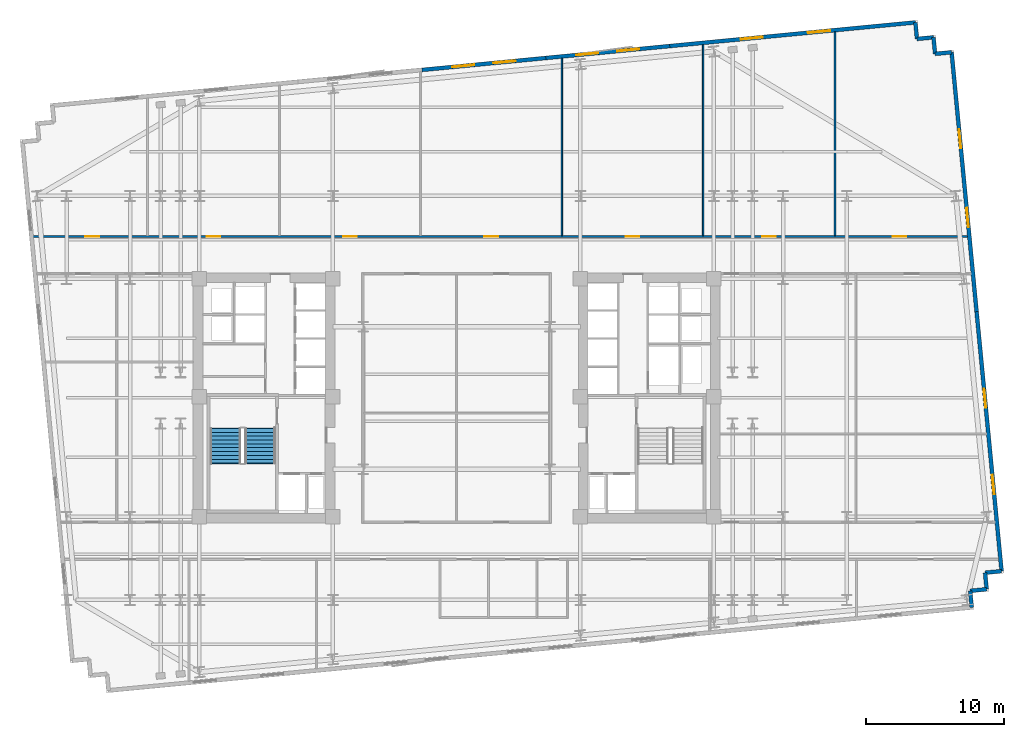
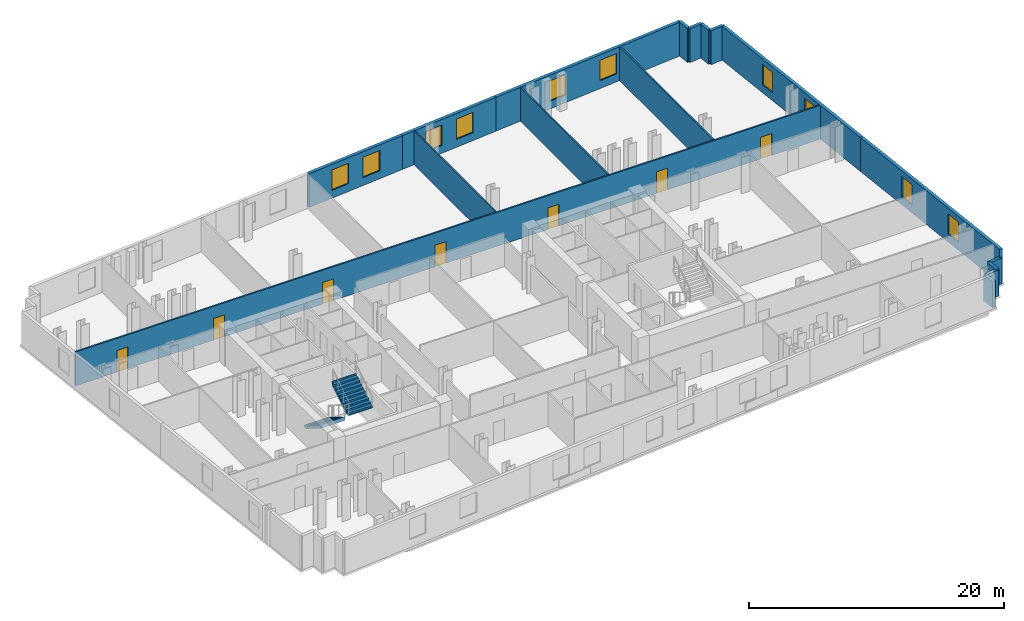
# One storey, part 8 of 11: 17 walls, 10 windows, 7 doors, 2 stair flights, 17 openings, 1 element without a shape of its own.
"""IFC4 building model written with IfcOpenShell, lengths in metres."""

from ifc_helpers import new_model, si_unit, direction, frame, frame_2d, origin, place, context, subcontext, project, spatial, polyline, rectangle, outline, extrude, material, layer, layer_set, type_object, element, fill, aggregate, save


model = new_model("IFC4")

# Units and contexts
model_context = context("Model", 3, precision=1e-05, world=origin(), true_north=direction((0.0, 1.0)))
body_context = subcontext(model_context, "Body", "Model", "MODEL_VIEW")
ifc_project = project(units=[si_unit("LENGTHUNIT", "METRE"), si_unit("AREAUNIT", "SQUARE_METRE"), si_unit("VOLUMEUNIT", "CUBIC_METRE"), si_unit("PLANEANGLEUNIT", "RADIAN"), si_unit("MASSUNIT", "GRAM", prefix="KILO")], contexts=[model_context])

# Site, building, storey
site_placement = place(None, origin())
site = spatial("IfcSite", under=ifc_project, at=site_placement, CompositionType="ELEMENT")
building_placement = place(site_placement, origin())
building = spatial("IfcBuilding", under=site, at=building_placement, Name="Velakula Bourse", CompositionType="ELEMENT")
storey_placement = place(building_placement, frame((0.0, 0.0, 101.800048828125)))
storey = spatial("IfcBuildingStorey", under=building, at=storey_placement, Name="L27", CompositionType="ELEMENT", Elevation=101.800048828125)

# Wall, openings, windows
ifc_material_1 = material(Name="Red kilned clay facing brick masonry", Category="masonry")
ifc_layer_1 = layer(ifc_material_1, 0.280029296875, Name="Red kilned clay facing brick masonry", Category="masonry")
ifc_layer_set_1 = layer_set([ifc_layer_1], Name="Red kilned clay facing brick masonry")
wall_type_1 = type_object("IfcWallType", Name="WL-EXT-BRK-280", PredefinedType="STANDARD", material=ifc_layer_set_1)
wall_1_placement = place(storey_placement, frame((-2.51513671875, 23.7109375, 0.0), z_axis=(0.0, 0.0, 1.0), x_axis=(0.995397043619, 0.095836973841, 0.0)))
wall_1 = element("IfcWall", 1, at=wall_1_placement, inside=storey, type_object=wall_type_1, Name="L27 N Brick Spandrel Wall B3", PredefinedType="STANDARD", context=body_context, shape_type="SweptSolid", body=[
    extrude(rectangle(XDim=9.000244140625, YDim=0.280029296875, at=frame_2d((4.5, 0.0))), origin(), (0.0, 0.0, 1.0), 3.25),
])
opening_1_placement = place(wall_1_placement, frame((2.199951171875, 0.0, 0.760009765625)))
opening_1 = element("IfcOpeningElement", 2, at=opening_1_placement, cuts=wall_1, Name="Opening W-02", PredefinedType="OPENING", context=body_context, shape_type="SweptSolid", body=[
    extrude(rectangle(XDim=1.60009765625, YDim=1.949951171875, at=frame_2d((0.800048828125, 0.97509765625))), frame((0.0, 0.14990234375, 0.0), z_axis=(0.0, -1.0, 0.0), x_axis=(1.0, 0.0, 0.0)), (0.0, 0.0, 1.0), 0.300048828125),
])
opening_2_placement = place(wall_1_placement, frame((5.199951171875, 0.0, 0.760009765625)))
opening_2 = element("IfcOpeningElement", 3, at=opening_2_placement, cuts=wall_1, Name="Opening W-02", PredefinedType="OPENING", context=body_context, shape_type="SweptSolid", body=[
    extrude(rectangle(XDim=1.60009765625, YDim=1.949951171875, at=frame_2d((0.800048828125, 0.97509765625))), frame((0.0, 0.14990234375, 0.0), z_axis=(0.0, -1.0, 0.0), x_axis=(1.0, 0.0, 0.0)), (0.0, 0.0, 1.0), 0.300048828125),
])
ifc_material_2 = material(Name="Double-glazed solar-control Low-E glass", Category="glass")
window_type_1 = type_object("IfcWindowType", Name="WIN-TWR-1600x2100", PartitioningType="SINGLE_PANEL", PredefinedType="WINDOW", material=ifc_material_2)
window_1_placement = place(opening_1_placement, origin())
window_1 = element("IfcWindow", 4, at=window_1_placement, inside=storey, type_object=window_type_1, Name="L27 Deep-Set Recessed Window 1", OverallHeight=1.949951171875, OverallWidth=1.60009765625, PartitioningType="SINGLE_PANEL", PredefinedType="WINDOW", context=body_context, shape_type="SweptSolid", body=[
    extrude(rectangle(XDim=1.60009765625, YDim=1.949951171875, at=frame_2d((0.800048828125, 0.97509765625))), frame((0.0, 0.030029296875, 0.0), z_axis=(0.0, -1.0, 0.0), x_axis=(1.0, 0.0, 0.0)), (0.0, 0.0, 1.0), 0.06005859375),
])
fill(opening_1, window_1)
window_2_placement = place(opening_2_placement, origin())
window_2 = element("IfcWindow", 5, at=window_2_placement, inside=storey, type_object=window_type_1, Name="L27 Deep-Set Recessed Window 2", OverallHeight=1.949951171875, OverallWidth=1.60009765625, PartitioningType="SINGLE_PANEL", PredefinedType="WINDOW", context=body_context, shape_type="SweptSolid", body=[
    extrude(rectangle(XDim=1.60009765625, YDim=1.949951171875, at=frame_2d((0.800048828125, 0.97509765625))), frame((0.0, 0.030029296875, 0.0), z_axis=(0.0, -1.0, 0.0), x_axis=(1.0, 0.0, 0.0)), (0.0, 0.0, 1.0), 0.06005859375),
])
fill(opening_2, window_2)

wall_2_placement = place(storey_placement, frame((6.443603515625, 24.573486328125, 0.0), z_axis=(0.0, 0.0, 1.0), x_axis=(0.995396794462, 0.09583956164, 0.0)))
wall_2 = element("IfcWall", 6, at=wall_2_placement, inside=storey, type_object=wall_type_1, Name="L27 N Brick Spandrel Wall B4", PredefinedType="STANDARD", context=body_context, shape_type="SweptSolid", body=[
    extrude(rectangle(XDim=9.0, YDim=0.280029296875, at=frame_2d((4.5, 0.0))), origin(), (0.0, 0.0, 1.0), 3.25),
])
opening_3_placement = place(wall_2_placement, frame((2.199951171875, 0.0, 0.760009765625)))
opening_3 = element("IfcOpeningElement", 7, at=opening_3_placement, cuts=wall_2, Name="Opening W-02", PredefinedType="OPENING", context=body_context, shape_type="SweptSolid", body=[
    extrude(rectangle(XDim=1.60009765625, YDim=1.949951171875, at=frame_2d((0.800048828125, 0.97509765625))), frame((0.0, 0.14990234375, 0.0), z_axis=(0.0, -1.0, 0.0), x_axis=(1.0, 0.0, 0.0)), (0.0, 0.0, 1.0), 0.300048828125),
])
opening_4_placement = place(wall_2_placement, frame((5.199951171875, 0.0, 0.760009765625)))
opening_4 = element("IfcOpeningElement", 8, at=opening_4_placement, cuts=wall_2, Name="Opening W-02", PredefinedType="OPENING", context=body_context, shape_type="SweptSolid", body=[
    extrude(rectangle(XDim=1.60009765625, YDim=1.949951171875, at=frame_2d((0.800048828125, 0.97509765625))), frame((0.0, 0.14990234375, 0.0), z_axis=(0.0, -1.0, 0.0), x_axis=(1.0, 0.0, 0.0)), (0.0, 0.0, 1.0), 0.300048828125),
])
window_3_placement = place(opening_3_placement, origin())
window_3 = element("IfcWindow", 9, at=window_3_placement, inside=storey, type_object=window_type_1, Name="L27 Deep-Set Recessed Window 1", OverallHeight=1.949951171875, OverallWidth=1.60009765625, PartitioningType="SINGLE_PANEL", PredefinedType="WINDOW", context=body_context, shape_type="SweptSolid", body=[
    extrude(rectangle(XDim=1.60009765625, YDim=1.949951171875, at=frame_2d((0.800048828125, 0.97509765625))), frame((0.0, 0.030029296875, 0.0), z_axis=(0.0, -1.0, 0.0), x_axis=(1.0, 0.0, 0.0)), (0.0, 0.0, 1.0), 0.06005859375),
])
fill(opening_3, window_3)
window_4_placement = place(opening_4_placement, origin())
window_4 = element("IfcWindow", 10, at=window_4_placement, inside=storey, type_object=window_type_1, Name="L27 Deep-Set Recessed Window 2", OverallHeight=1.949951171875, OverallWidth=1.60009765625, PartitioningType="SINGLE_PANEL", PredefinedType="WINDOW", context=body_context, shape_type="SweptSolid", body=[
    extrude(rectangle(XDim=1.60009765625, YDim=1.949951171875, at=frame_2d((0.800048828125, 0.97509765625))), frame((0.0, 0.030029296875, 0.0), z_axis=(0.0, -1.0, 0.0), x_axis=(1.0, 0.0, 0.0)), (0.0, 0.0, 1.0), 0.06005859375),
])
fill(opening_4, window_4)

wall_3_placement = place(storey_placement, frame((15.402099609375, 25.43603515625, 0.0), z_axis=(0.0, 0.0, 1.0), x_axis=(0.995395780835, 0.095850088663, 0.0)))
wall_3 = element("IfcWall", 11, at=wall_3_placement, inside=storey, type_object=wall_type_1, Name="L27 N Brick Spandrel Wall B5", PredefinedType="STANDARD", context=body_context, shape_type="SweptSolid", body=[
    extrude(rectangle(XDim=17.83984375, YDim=0.280029296875, at=frame_2d((8.919921875, 0.0))), origin(), (0.0, 0.0, 1.0), 3.25),
])
opening_5_placement = place(wall_3_placement, frame((5.146728515625, 0.0, 0.760009765625)))
opening_5 = element("IfcOpeningElement", 12, at=opening_5_placement, cuts=wall_3, Name="Opening W-02", PredefinedType="OPENING", context=body_context, shape_type="SweptSolid", body=[
    extrude(rectangle(XDim=1.60009765625, YDim=1.949951171875, at=frame_2d((0.800048828125, 0.97509765625))), frame((0.0, 0.14990234375, 0.0), z_axis=(0.0, -1.0, 0.0), x_axis=(1.0, 0.0, 0.0)), (0.0, 0.0, 1.0), 0.300048828125),
])
opening_6_placement = place(wall_3_placement, frame((10.043212890625, 0.0, 0.760009765625)))
opening_6 = element("IfcOpeningElement", 13, at=opening_6_placement, cuts=wall_3, Name="Opening W-02", PredefinedType="OPENING", context=body_context, shape_type="SweptSolid", body=[
    extrude(rectangle(XDim=1.60009765625, YDim=1.949951171875, at=frame_2d((0.800048828125, 0.97509765625))), frame((0.0, 0.14990234375, 0.0), z_axis=(0.0, -1.0, 0.0), x_axis=(1.0, 0.0, 0.0)), (0.0, 0.0, 1.0), 0.300048828125),
])
window_5_placement = place(opening_5_placement, origin())
window_5 = element("IfcWindow", 14, at=window_5_placement, inside=storey, type_object=window_type_1, Name="L27 Deep-Set Recessed Window 1", OverallHeight=1.949951171875, OverallWidth=1.60009765625, PartitioningType="SINGLE_PANEL", PredefinedType="WINDOW", context=body_context, shape_type="SweptSolid", body=[
    extrude(rectangle(XDim=1.60009765625, YDim=1.949951171875, at=frame_2d((0.800048828125, 0.97509765625))), frame((0.0, 0.030029296875, 0.0), z_axis=(0.0, -1.0, 0.0), x_axis=(1.0, 0.0, 0.0)), (0.0, 0.0, 1.0), 0.06005859375),
])
fill(opening_5, window_5)
window_6_placement = place(opening_6_placement, origin())
window_6 = element("IfcWindow", 15, at=window_6_placement, inside=storey, type_object=window_type_1, Name="L27 Deep-Set Recessed Window 2", OverallHeight=1.949951171875, OverallWidth=1.60009765625, PartitioningType="SINGLE_PANEL", PredefinedType="WINDOW", context=body_context, shape_type="SweptSolid", body=[
    extrude(rectangle(XDim=1.60009765625, YDim=1.949951171875, at=frame_2d((0.800048828125, 0.97509765625))), frame((0.0, 0.030029296875, 0.0), z_axis=(0.0, -1.0, 0.0), x_axis=(1.0, 0.0, 0.0)), (0.0, 0.0, 1.0), 0.06005859375),
])
fill(opening_6, window_6)

wall_4_placement = place(storey_placement, frame((37.584716796875, 6.23388671875, 0.0), z_axis=(0.0, 0.0, 1.0), x_axis=(0.095841297881, -0.99539662729, 0.0)))
wall_4 = element("IfcWall", 16, at=wall_4_placement, inside=storey, type_object=wall_type_1, Name="L27 E Brick End Wall W1", PredefinedType="STANDARD", context=body_context, shape_type="SweptSolid", body=[
    extrude(rectangle(XDim=18.840087890625, YDim=0.280029296875, at=frame_2d((9.419921875, 0.0))), origin(), (0.0, 0.0, 1.0), 3.25),
])
opening_7_placement = place(wall_4_placement, frame((5.580078125, 0.0, 0.760009765625)))
opening_7 = element("IfcOpeningElement", 17, at=opening_7_placement, cuts=wall_4, Name="Opening W-03", PredefinedType="OPENING", context=body_context, shape_type="SweptSolid", body=[
    extrude(rectangle(XDim=1.39990234375, YDim=1.949951171875, at=frame_2d((0.699951171875, 0.97509765625))), frame((0.0, 0.14990234375, 0.0), z_axis=(0.0, -1.0, 0.0), x_axis=(1.0, 0.0, 0.0)), (0.0, 0.0, 1.0), 0.300048828125),
])
opening_8_placement = place(wall_4_placement, frame((11.860107421875, 0.0, 0.760009765625)))
opening_8 = element("IfcOpeningElement", 18, at=opening_8_placement, cuts=wall_4, Name="Opening W-03", PredefinedType="OPENING", context=body_context, shape_type="SweptSolid", body=[
    extrude(rectangle(XDim=1.39990234375, YDim=1.949951171875, at=frame_2d((0.699951171875, 0.97509765625))), frame((0.0, 0.14990234375, 0.0), z_axis=(0.0, -1.0, 0.0), x_axis=(1.0, 0.0, 0.0)), (0.0, 0.0, 1.0), 0.300048828125),
])
window_type_2 = type_object("IfcWindowType", Name="WIN-TWR-1400x2100", PartitioningType="SINGLE_PANEL", PredefinedType="WINDOW", material=ifc_material_2)
window_7_placement = place(opening_7_placement, origin())
window_7 = element("IfcWindow", 19, at=window_7_placement, inside=storey, type_object=window_type_2, Name="L27 Deep-Set Recessed Window 1", OverallHeight=1.949951171875, OverallWidth=1.39990234375, PartitioningType="SINGLE_PANEL", PredefinedType="WINDOW", context=body_context, shape_type="SweptSolid", body=[
    extrude(rectangle(XDim=1.39990234375, YDim=1.949951171875, at=frame_2d((0.699951171875, 0.97509765625))), frame((0.0, 0.030029296875, 0.0), z_axis=(0.0, -1.0, 0.0), x_axis=(1.0, 0.0, 0.0)), (0.0, 0.0, 1.0), 0.06005859375),
])
fill(opening_7, window_7)
window_8_placement = place(opening_8_placement, origin())
window_8 = element("IfcWindow", 20, at=window_8_placement, inside=storey, type_object=window_type_2, Name="L27 Deep-Set Recessed Window 2", OverallHeight=1.949951171875, OverallWidth=1.39990234375, PartitioningType="SINGLE_PANEL", PredefinedType="WINDOW", context=body_context, shape_type="SweptSolid", body=[
    extrude(rectangle(XDim=1.39990234375, YDim=1.949951171875, at=frame_2d((0.699951171875, 0.97509765625))), frame((0.0, 0.030029296875, 0.0), z_axis=(0.0, -1.0, 0.0), x_axis=(1.0, 0.0, 0.0)), (0.0, 0.0, 1.0), 0.06005859375),
])
fill(opening_8, window_8)

wall_5_placement = place(storey_placement, frame((35.779052734375, 24.987060546875, 0.0), z_axis=(0.0, 0.0, 1.0), x_axis=(0.095842534142, -0.995396508256, 0.0)))
wall_5 = element("IfcWall", 21, at=wall_5_placement, inside=storey, type_object=wall_type_1, Name="L27 E Brick End Wall W2", PredefinedType="STANDARD", context=body_context, shape_type="SweptSolid", body=[
    extrude(rectangle(XDim=18.83984375, YDim=0.280029296875, at=frame_2d((9.419921875, 0.0))), origin(), (0.0, 0.0, 1.0), 3.25),
])
opening_9_placement = place(wall_5_placement, frame((5.580078125, 0.0, 0.760009765625)))
opening_9 = element("IfcOpeningElement", 22, at=opening_9_placement, cuts=wall_5, Name="Opening W-03", PredefinedType="OPENING", context=body_context, shape_type="SweptSolid", body=[
    extrude(rectangle(XDim=1.39990234375, YDim=1.949951171875, at=frame_2d((0.699951171875, 0.97509765625))), frame((0.0, 0.14990234375, 0.0), z_axis=(0.0, -1.0, 0.0), x_axis=(1.0, 0.0, 0.0)), (0.0, 0.0, 1.0), 0.300048828125),
])
opening_10_placement = place(wall_5_placement, frame((11.31005859375, 0.0, 0.760009765625)))
opening_10 = element("IfcOpeningElement", 23, at=opening_10_placement, cuts=wall_5, Name="Opening W-03", PredefinedType="OPENING", context=body_context, shape_type="SweptSolid", body=[
    extrude(rectangle(XDim=1.39990234375, YDim=1.949951171875, at=frame_2d((0.699951171875, 0.97509765625))), frame((0.0, 0.14990234375, 0.0), z_axis=(0.0, -1.0, 0.0), x_axis=(1.0, 0.0, 0.0)), (0.0, 0.0, 1.0), 0.300048828125),
])
window_9_placement = place(opening_9_placement, origin())
window_9 = element("IfcWindow", 24, at=window_9_placement, inside=storey, type_object=window_type_2, Name="L27 Deep-Set Recessed Window 1", OverallHeight=1.949951171875, OverallWidth=1.39990234375, PartitioningType="SINGLE_PANEL", PredefinedType="WINDOW", context=body_context, shape_type="SweptSolid", body=[
    extrude(rectangle(XDim=1.39990234375, YDim=1.949951171875, at=frame_2d((0.699951171875, 0.97509765625))), frame((0.0, 0.030029296875, 0.0), z_axis=(0.0, -1.0, 0.0), x_axis=(1.0, 0.0, 0.0)), (0.0, 0.0, 1.0), 0.06005859375),
])
fill(opening_9, window_9)
window_10_placement = place(opening_10_placement, origin())
window_10 = element("IfcWindow", 25, at=window_10_placement, inside=storey, type_object=window_type_2, Name="L27 Deep-Set Recessed Window 2", OverallHeight=1.949951171875, OverallWidth=1.39990234375, PartitioningType="SINGLE_PANEL", PredefinedType="WINDOW", context=body_context, shape_type="SweptSolid", body=[
    extrude(rectangle(XDim=1.39990234375, YDim=1.949951171875, at=frame_2d((0.699951171875, 0.97509765625))), frame((0.0, 0.030029296875, 0.0), z_axis=(0.0, -1.0, 0.0), x_axis=(1.0, 0.0, 0.0)), (0.0, 0.0, 1.0), 0.06005859375),
])
fill(opening_10, window_10)

# Walls
for number, where, z_axis, x_axis, name in (
    (26, (37.2314453125, -15.138427734375, 0.0), (0.0, 0.0, 1.0), (-0.095817067274, 0.995398960025, 0.0), "L27 Serrated Corner Brick Wall SE-1"),
    (27, (37.116455078125, -13.94384765625, 0.0), (0.0, 0.0, 1.0), (0.995398960025, 0.095817067274, 0.0), "L27 Serrated Corner Brick Wall SE-2"),
):
    element("IfcWall", number, at=place(storey_placement, frame(where, z_axis=z_axis, x_axis=x_axis)), inside=storey, type_object=wall_type_1, Name=name, PredefinedType="STANDARD", context=body_context, shape_type="SweptSolid", body=[
        extrude(rectangle(XDim=1.2001953125, YDim=0.280029296875, at=frame_2d((0.60009765625, 0.0))), origin(), (0.0, 0.0, 1.0), 2.494873046875),
    ])
for number, where, z_axis, x_axis, name in (
    (28, (38.31103515625, -13.828857421875, 0.0), (0.0, 0.0, 1.0), (-0.095836473879, 0.995397091755, 0.0), "L27 Serrated Corner Brick Wall SE-3"),
    (29, (38.196044921875, -12.634521484375, 0.0), (0.0, 0.0, 1.0), (0.995397091755, 0.095836473879, 0.0), "L27 Serrated Corner Brick Wall SE-4"),
):
    element("IfcWall", number, at=place(storey_placement, frame(where, z_axis=z_axis, x_axis=x_axis)), inside=storey, type_object=wall_type_1, Name=name, PredefinedType="STANDARD", context=body_context, shape_type="SweptSolid", body=[
        extrude(rectangle(XDim=1.199951171875, YDim=0.280029296875, at=frame_2d((0.60009765625, 0.0))), origin(), (0.0, 0.0, 1.0), 2.494873046875),
    ])
for number, where, z_axis, x_axis, name in (
    (30, (35.779052734375, 24.987060546875, 0.0), (0.0, 0.0, 1.0), (-0.995398960025, -0.095817067274, 0.0), "L27 Serrated Corner Brick Wall NE-1"),
    (31, (34.58447265625, 24.8720703125, 0.0), (0.0, 0.0, 1.0), (-0.095817067274, 0.995398960025, 0.0), "L27 Serrated Corner Brick Wall NE-2"),
    (32, (34.469482421875, 26.066650390625, 0.0), (0.0, 0.0, 1.0), (-0.995398960025, -0.095817067274, 0.0), "L27 Serrated Corner Brick Wall NE-3"),
):
    element("IfcWall", number, at=place(storey_placement, frame(where, z_axis=z_axis, x_axis=x_axis)), inside=storey, type_object=wall_type_1, Name=name, PredefinedType="STANDARD", context=body_context, shape_type="SweptSolid", body=[
        extrude(rectangle(XDim=1.2001953125, YDim=0.280029296875, at=frame_2d((0.60009765625, 0.0))), origin(), (0.0, 0.0, 1.0), 3.25),
    ])
wall_6_placement = place(storey_placement, frame((33.27490234375, 25.95166015625, 0.0), z_axis=(0.0, 0.0, 1.0), x_axis=(-0.095836473879, 0.995397091755, 0.0)))
element("IfcWall", 33, at=wall_6_placement, inside=storey, type_object=wall_type_1, Name="L27 Serrated Corner Brick Wall NE-4", PredefinedType="STANDARD", context=body_context, shape_type="SweptSolid", body=[
    extrude(rectangle(XDim=1.199951171875, YDim=0.280029296875, at=frame_2d((0.60009765625, 0.0))), origin(), (0.0, 0.0, 1.0), 3.25),
])
ifc_material_3 = material(Name="Fire-rated double-layer gypsum drywall partition", Category="gypsum")
ifc_layer_2 = layer(ifc_material_3, 0.1201171875, Name="Fire-rated double-layer gypsum drywall partition", Category="gypsum")
ifc_layer_set_2 = layer_set([ifc_layer_2], Name="Fire-rated double-layer gypsum drywall partition")
wall_type_2 = type_object("IfcWallType", Name="WL-PART-120", PredefinedType="STANDARD", material=ifc_layer_set_2)
wall_7_placement = place(storey_placement, frame((7.60498046875, 11.739990234375, 0.0), z_axis=(0.0, 0.0, 1.0), x_axis=(0.0, 1.0, 0.0)))
element("IfcWall", 34, at=wall_7_placement, inside=storey, type_object=wall_type_2, Name="L27 Interior Partition WL-INT-L27-N-D4", PredefinedType="STANDARD", context=body_context, shape_type="SweptSolid", body=[
    extrude(rectangle(XDim=12.82470703125, YDim=0.1201171875, at=frame_2d((6.412353515625, 0.0))), origin(), (0.0, 0.0, 1.0), 3.25),
])
wall_8_placement = place(storey_placement, frame((17.81494140625, 11.739990234375, 0.0), z_axis=(0.0, 0.0, 1.0), x_axis=(0.0, 1.0, 0.0)))
element("IfcWall", 35, at=wall_8_placement, inside=storey, type_object=wall_type_2, Name="L27 Interior Partition WL-INT-L27-N-D5", PredefinedType="STANDARD", context=body_context, shape_type="SweptSolid", body=[
    extrude(rectangle(XDim=13.807861328125, YDim=0.1201171875, at=frame_2d((6.90380859375, 0.0))), origin(), (0.0, 0.0, 1.0), 3.25),
])
wall_9_placement = place(storey_placement, frame((27.343994140625, 11.739990234375, 0.0), z_axis=(0.0, 0.0, 1.0), x_axis=(0.0, 1.0, 0.0)))
element("IfcWall", 36, at=wall_9_placement, inside=storey, type_object=wall_type_2, Name="L27 Interior Partition WL-INT-L27-N-D6", PredefinedType="STANDARD", context=body_context, shape_type="SweptSolid", body=[
    extrude(rectangle(XDim=14.7255859375, YDim=0.1201171875, at=frame_2d((7.36279296875, 0.0))), origin(), (0.0, 0.0, 1.0), 3.25),
])

# Wall, openings, doors
ifc_layer_3 = layer(ifc_material_3, 0.139892578125, Name="Fire-rated double-layer gypsum drywall partition", Category="gypsum")
ifc_layer_set_3 = layer_set([ifc_layer_3], Name="Fire-rated double-layer gypsum drywall partition")
wall_type_3 = type_object("IfcWallType", Name="WL-PART-140", PredefinedType="STANDARD", material=ifc_layer_set_3)
wall_10_placement = place(storey_placement, frame((-30.6103515625, 11.669921875, 0.0), z_axis=(0.0, 0.0, 1.0), x_axis=(1.0, 0.0, 0.0)))
wall_10 = element("IfcWall", 37, at=wall_10_placement, inside=storey, type_object=wall_type_3, Name="L27 Interior Partition WL-INT-L27-N-CORR", PredefinedType="STANDARD", context=body_context, shape_type="SweptSolid", body=[
    extrude(rectangle(XDim=67.551025390625, YDim=0.139892578125, at=frame_2d((33.775390625, 0.0))), origin(), (0.0, 0.0, 1.0), 3.25),
])
opening_11_placement = place(wall_10_placement, frame((3.758544921875, 0.0, 0.0)))
opening_11 = element("IfcOpeningElement", 38, at=opening_11_placement, cuts=wall_10, Name="Opening D-OF1", PredefinedType="OPENING", context=body_context, shape_type="SweptSolid", body=[
    extrude(rectangle(XDim=1.0, YDim=2.080078125, at=frame_2d((0.5, 1.0400390625))), frame((0.0, 0.079833984375, 0.0), z_axis=(0.0, -1.0, 0.0), x_axis=(1.0, 0.0, 0.0)), (0.0, 0.0, 1.0), 0.159912109375),
])
opening_12_placement = place(wall_10_placement, frame((12.52978515625, 0.0, 0.0)))
opening_12 = element("IfcOpeningElement", 39, at=opening_12_placement, cuts=wall_10, Name="Opening D-OF1", PredefinedType="OPENING", context=body_context, shape_type="SweptSolid", body=[
    extrude(rectangle(XDim=1.0, YDim=2.080078125, at=frame_2d((0.5, 1.0400390625))), frame((0.0, 0.079833984375, 0.0), z_axis=(0.0, -1.0, 0.0), x_axis=(1.0, 0.0, 0.0)), (0.0, 0.0, 1.0), 0.159912109375),
])
opening_13_placement = place(wall_10_placement, frame((22.3994140625, 0.0, 0.0)))
opening_13 = element("IfcOpeningElement", 40, at=opening_13_placement, cuts=wall_10, Name="Opening D-OF1", PredefinedType="OPENING", context=body_context, shape_type="SweptSolid", body=[
    extrude(rectangle(XDim=1.0, YDim=2.080078125, at=frame_2d((0.5, 1.0400390625))), frame((0.0, 0.079833984375, 0.0), z_axis=(0.0, -1.0, 0.0), x_axis=(1.0, 0.0, 0.0)), (0.0, 0.0, 1.0), 0.159912109375),
])
opening_14_placement = place(wall_10_placement, frame((32.60986328125, 0.0, 0.0)))
opening_14 = element("IfcOpeningElement", 41, at=opening_14_placement, cuts=wall_10, Name="Opening D-OF1", PredefinedType="OPENING", context=body_context, shape_type="SweptSolid", body=[
    extrude(rectangle(XDim=1.0, YDim=2.080078125, at=frame_2d((0.5, 1.0400390625))), frame((0.0, 0.079833984375, 0.0), z_axis=(0.0, -1.0, 0.0), x_axis=(1.0, 0.0, 0.0)), (0.0, 0.0, 1.0), 0.159912109375),
])
opening_15_placement = place(wall_10_placement, frame((42.8203125, 0.0, 0.0)))
opening_15 = element("IfcOpeningElement", 42, at=opening_15_placement, cuts=wall_10, Name="Opening D-OF1", PredefinedType="OPENING", context=body_context, shape_type="SweptSolid", body=[
    extrude(rectangle(XDim=1.0, YDim=2.080078125, at=frame_2d((0.5, 1.0400390625))), frame((0.0, 0.079833984375, 0.0), z_axis=(0.0, -1.0, 0.0), x_axis=(1.0, 0.0, 0.0)), (0.0, 0.0, 1.0), 0.159912109375),
])
opening_16_placement = place(wall_10_placement, frame((52.689697265625, 0.0, 0.0)))
opening_16 = element("IfcOpeningElement", 43, at=opening_16_placement, cuts=wall_10, Name="Opening D-OF1", PredefinedType="OPENING", context=body_context, shape_type="SweptSolid", body=[
    extrude(rectangle(XDim=1.0, YDim=2.080078125, at=frame_2d((0.5, 1.0400390625))), frame((0.0, 0.079833984375, 0.0), z_axis=(0.0, -1.0, 0.0), x_axis=(1.0, 0.0, 0.0)), (0.0, 0.0, 1.0), 0.159912109375),
])
opening_17_placement = place(wall_10_placement, frame((62.126708984375, 0.0, 0.0)))
opening_17 = element("IfcOpeningElement", 44, at=opening_17_placement, cuts=wall_10, Name="Opening D-OF1", PredefinedType="OPENING", context=body_context, shape_type="SweptSolid", body=[
    extrude(rectangle(XDim=1.0, YDim=2.080078125, at=frame_2d((0.5, 1.0400390625))), frame((0.0, 0.079833984375, 0.0), z_axis=(0.0, -1.0, 0.0), x_axis=(1.0, 0.0, 0.0)), (0.0, 0.0, 1.0), 0.159912109375),
])
ifc_material_4 = material(Name="Fire-rated hardwood flush architectural door", Category="wood")
door_type = type_object("IfcDoorType", Name="DR-OFF-1000", OperationType="NOTDEFINED", PredefinedType="DOOR", material=ifc_material_4)
door_1_placement = place(opening_11_placement, origin())
door_1 = element("IfcDoor", 45, at=door_1_placement, inside=storey, type_object=door_type, Name="L27 Prime-Brokerage Dealing Workspace Door", OperationType="SINGLE_SWING_LEFT", OverallHeight=2.080078125, OverallWidth=1.0, PredefinedType="DOOR", context=body_context, shape_type="SweptSolid", body=[
    extrude(rectangle(XDim=1.0, YDim=2.080078125, at=frame_2d((0.5, 1.0400390625))), frame((0.0, 0.02490234375, 0.0), z_axis=(0.0, -1.0, 0.0), x_axis=(1.0, 0.0, 0.0)), (0.0, 0.0, 1.0), 0.050048828125),
])
fill(opening_11, door_1)
door_2_placement = place(opening_12_placement, origin())
door_2 = element("IfcDoor", 46, at=door_2_placement, inside=storey, type_object=door_type, Name="L27 Arbitration Conference Room Door", OperationType="SINGLE_SWING_RIGHT", OverallHeight=2.080078125, OverallWidth=1.0, PredefinedType="DOOR", context=body_context, shape_type="SweptSolid", body=[
    extrude(rectangle(XDim=1.0, YDim=2.080078125, at=frame_2d((0.5, 1.0400390625))), frame((0.0, 0.02490234375, 0.0), z_axis=(0.0, -1.0, 0.0), x_axis=(1.0, 0.0, 0.0)), (0.0, 0.0, 1.0), 0.050048828125),
])
fill(opening_12, door_2)
door_3_placement = place(opening_13_placement, origin())
door_3 = element("IfcDoor", 47, at=door_3_placement, inside=storey, type_object=door_type, Name="L27 Tea Room Kitchenette Door", OperationType="SINGLE_SWING_LEFT", OverallHeight=2.080078125, OverallWidth=1.0, PredefinedType="DOOR", context=body_context, shape_type="SweptSolid", body=[
    extrude(rectangle(XDim=1.0, YDim=2.080078125, at=frame_2d((0.5, 1.0400390625))), frame((0.0, 0.02490234375, 0.0), z_axis=(0.0, -1.0, 0.0), x_axis=(1.0, 0.0, 0.0)), (0.0, 0.0, 1.0), 0.050048828125),
])
fill(opening_13, door_3)
door_4_placement = place(opening_14_placement, origin())
door_4 = element("IfcDoor", 48, at=door_4_placement, inside=storey, type_object=door_type, Name="L27 Quiet Financial Library Door", OperationType="SINGLE_SWING_RIGHT", OverallHeight=2.080078125, OverallWidth=1.0, PredefinedType="DOOR", context=body_context, shape_type="SweptSolid", body=[
    extrude(rectangle(XDim=1.0, YDim=2.080078125, at=frame_2d((0.5, 1.0400390625))), frame((0.0, 0.02490234375, 0.0), z_axis=(0.0, -1.0, 0.0), x_axis=(1.0, 0.0, 0.0)), (0.0, 0.0, 1.0), 0.050048828125),
])
fill(opening_14, door_4)
door_5_placement = place(opening_15_placement, origin())
door_5 = element("IfcDoor", 49, at=door_5_placement, inside=storey, type_object=door_type, Name="L27 Primary Dealer Office Door", OperationType="SINGLE_SWING_LEFT", OverallHeight=2.080078125, OverallWidth=1.0, PredefinedType="DOOR", context=body_context, shape_type="SweptSolid", body=[
    extrude(rectangle(XDim=1.0, YDim=2.080078125, at=frame_2d((0.5, 1.0400390625))), frame((0.0, 0.02490234375, 0.0), z_axis=(0.0, -1.0, 0.0), x_axis=(1.0, 0.0, 0.0)), (0.0, 0.0, 1.0), 0.050048828125),
])
fill(opening_15, door_5)
door_6_placement = place(opening_16_placement, origin())
door_6 = element("IfcDoor", 50, at=door_6_placement, inside=storey, type_object=door_type, Name="L27 Prime-Brokerage Dealing Workspace Door", OperationType="SINGLE_SWING_RIGHT", OverallHeight=2.080078125, OverallWidth=1.0, PredefinedType="DOOR", context=body_context, shape_type="SweptSolid", body=[
    extrude(rectangle(XDim=1.0, YDim=2.080078125, at=frame_2d((0.5, 1.0400390625))), frame((0.0, 0.02490234375, 0.0), z_axis=(0.0, -1.0, 0.0), x_axis=(1.0, 0.0, 0.0)), (0.0, 0.0, 1.0), 0.050048828125),
])
fill(opening_16, door_6)
door_7_placement = place(opening_17_placement, origin())
door_7 = element("IfcDoor", 51, at=door_7_placement, inside=storey, type_object=door_type, Name="L27 Treasury Operations Office Door", OperationType="SINGLE_SWING_LEFT", OverallHeight=2.080078125, OverallWidth=1.0, PredefinedType="DOOR", context=body_context, shape_type="SweptSolid", body=[
    extrude(rectangle(XDim=1.0, YDim=2.080078125, at=frame_2d((0.5, 1.0400390625))), frame((0.0, 0.02490234375, 0.0), z_axis=(0.0, -1.0, 0.0), x_axis=(1.0, 0.0, 0.0)), (0.0, 0.0, 1.0), 0.050048828125),
])
fill(opening_17, door_7)

# Stair, stair flights
ifc_material_5 = material(Name="Concrete M45 (fck 45 MPa)", Category="concrete")
stair_type = type_object("IfcStairType", Name="STR-DOG-390", PredefinedType="HALF_TURN_STAIR", material=ifc_material_5)
stair_placement = place(storey_placement, origin())
stair = element("IfcStair", 52, at=stair_placement, inside=storey, type_object=stair_type, Name="L27 West Core Exit Stair ST-W1", PredefinedType="HALF_TURN_STAIR")
ifc_layer_4 = layer(ifc_material_5, 0.195068359375, Name="Concrete M45 (fck 45 MPa)", Category="concrete")
ifc_layer_set_4 = layer_set([ifc_layer_4], Name="Concrete M45 (fck 45 MPa)")
stair_flight_type = type_object("IfcStairFlightType", Name="FLT-DOG-390", PredefinedType="STRAIGHT", material=ifc_layer_set_4)
stair_flight_1_placement = place(storey_placement, frame((-16.720947265625, -2.199951171875, 0.0), z_axis=(0.0, 0.0, 1.0), x_axis=(0.0, -1.0, 0.0)))
stair_flight_1 = element("IfcStairFlight", 53, at=stair_flight_1_placement, type_object=stair_flight_type, Name="ST-W1 flight 1", NumberOfRisers=10, NumberOfTreads=9, PredefinedType="STRAIGHT", RiserHeight=0.1725, TreadLength=0.28, context=body_context, shape_type="SweptSolid", body=[
    extrude(outline(polyline([(-0.044921875, -0.0400390625), (-0.044921875, -0.036865234375), (-0.044921875, -0.033935546875), (-0.044921875, -0.03076171875), (-0.044921875, -0.027587890625), (-0.044921875, -0.024658203125), (-0.044921875, -0.021484375), (-0.044921875, -0.0185546875), (-0.044921875, -0.015380859375), (-0.044921875, -0.01220703125), (-0.044921875, -0.00927734375), (-0.044921875, -0.006103515625), (-0.044921875, -0.003173828125), (-0.044921875, 0.0), (0.0, 0.0), (0.0, 0.172607421875), (0.280029296875, 0.172607421875), (0.280029296875, 0.344970703125), (0.56005859375, 0.344970703125), (0.56005859375, 0.517578125), (0.840087890625, 0.517578125), (0.840087890625, 0.68994140625), (1.1201171875, 0.68994140625), (1.1201171875, 0.862548828125), (1.39990234375, 0.862548828125), (1.39990234375, 1.034912109375), (1.679931640625, 1.034912109375), (1.679931640625, 1.20751953125), (1.9599609375, 1.20751953125), (1.9599609375, 1.3798828125), (2.239990234375, 1.3798828125), (2.239990234375, 1.552490234375), (2.52001953125, 1.552490234375), (2.52001953125, 1.72509765625), (2.56494140625, 1.72509765625), (2.56494140625, 1.7001953125), (2.56494140625, 1.67529296875), (2.56494140625, 1.650390625), (2.56494140625, 1.62548828125), (2.56494140625, 1.6005859375), (2.56494140625, 1.57568359375), (2.56494140625, 1.55078125), (2.56494140625, 1.52587890625), (2.56494140625, 1.5009765625), (2.56494140625, 1.47607421875), (2.56494140625, 1.451171875), (2.56494140625, 1.42626953125), (2.56494140625, 1.4013671875), (2.56494140625, 1.37646484375), (0.285888671875, -0.0400390625), (-0.044921875, -0.0400390625)])), frame((0.0, 1.09912109375, 0.0), z_axis=(0.0, -1.0, 0.0), x_axis=(1.0, 0.0, 0.0)), (0.0, 0.0, 1.0), 2.197998046875),
])
stair_flight_2_placement = place(storey_placement, frame((-14.198974609375, -4.719970703125, 1.724853515625), z_axis=(0.0, 0.0, 1.0), x_axis=(0.0, 1.0, 0.0)))
stair_flight_2 = element("IfcStairFlight", 54, at=stair_flight_2_placement, type_object=stair_flight_type, Name="ST-W1 flight 2", NumberOfRisers=10, NumberOfTreads=9, PredefinedType="STRAIGHT", RiserHeight=0.1725, TreadLength=0.28, context=body_context, shape_type="SweptSolid", body=[
    extrude(outline(polyline([(-0.044921875, -0.0400390625), (-0.044921875, -0.036865234375), (-0.044921875, -0.033935546875), (-0.044921875, -0.03076171875), (-0.044921875, -0.027587890625), (-0.044921875, -0.024658203125), (-0.044921875, -0.021484375), (-0.044921875, -0.0185546875), (-0.044921875, -0.015380859375), (-0.044921875, -0.01220703125), (-0.044921875, -0.00927734375), (-0.044921875, -0.006103515625), (-0.044921875, -0.003173828125), (-0.044921875, 0.0), (0.0, 0.0), (0.0, 0.172607421875), (0.280029296875, 0.172607421875), (0.280029296875, 0.344970703125), (0.56005859375, 0.344970703125), (0.56005859375, 0.517578125), (0.840087890625, 0.517578125), (0.840087890625, 0.68994140625), (1.1201171875, 0.68994140625), (1.1201171875, 0.862548828125), (1.39990234375, 0.862548828125), (1.39990234375, 1.034912109375), (1.679931640625, 1.034912109375), (1.679931640625, 1.20751953125), (1.9599609375, 1.20751953125), (1.9599609375, 1.3798828125), (2.239990234375, 1.3798828125), (2.239990234375, 1.552490234375), (2.52001953125, 1.552490234375), (2.52001953125, 1.72509765625), (2.56494140625, 1.72509765625), (2.56494140625, 1.7001953125), (2.56494140625, 1.67529296875), (2.56494140625, 1.650390625), (2.56494140625, 1.62548828125), (2.56494140625, 1.6005859375), (2.56494140625, 1.57568359375), (2.56494140625, 1.55078125), (2.56494140625, 1.52587890625), (2.56494140625, 1.5009765625), (2.56494140625, 1.47607421875), (2.56494140625, 1.451171875), (2.56494140625, 1.42626953125), (2.56494140625, 1.4013671875), (2.56494140625, 1.37646484375), (0.285888671875, -0.0400390625), (-0.044921875, -0.0400390625)])), frame((0.0, 1.09912109375, 0.0), z_axis=(0.0, -1.0, 0.0), x_axis=(1.0, 0.0, 0.0)), (0.0, 0.0, 1.0), 2.197998046875),
])
aggregate(stair, [stair_flight_1, stair_flight_2])

save(model, "model.ifc")
